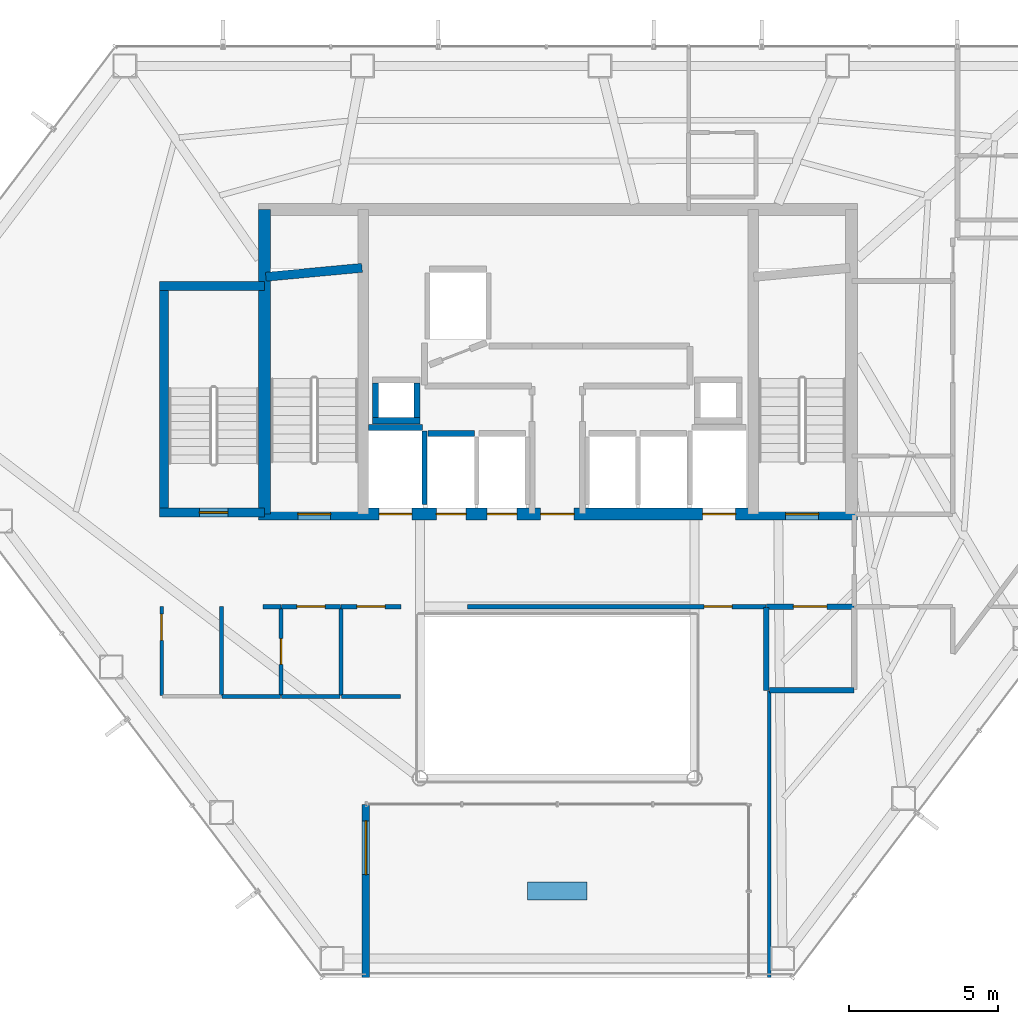
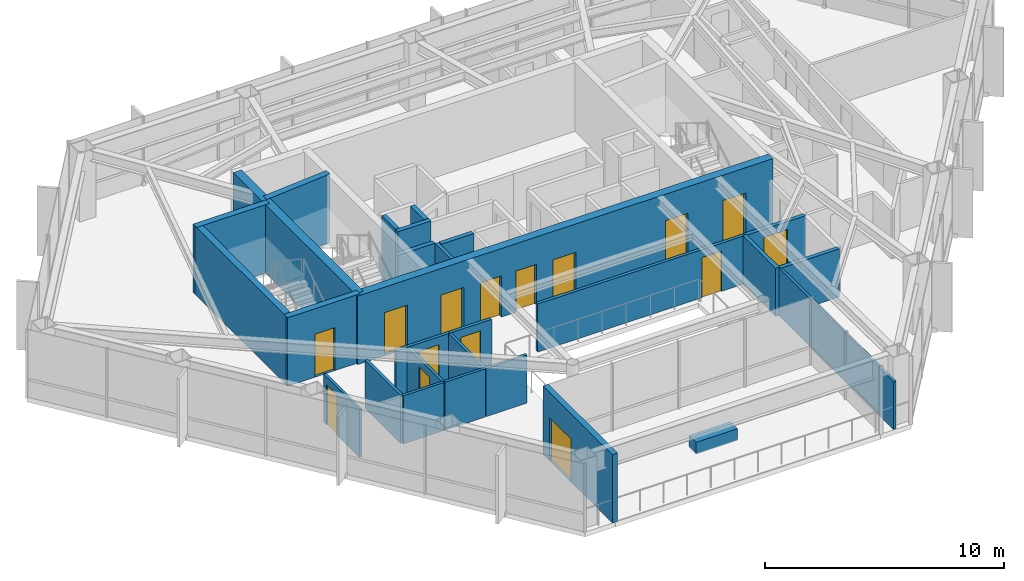
# One storey, part 25 of 28: 29 walls, 15 doors, 15 openings.
"""IFC4 building model written with IfcOpenShell, lengths in metres."""

from ifc_helpers import new_model, si_unit, direction, frame, frame_2d, origin, place, context, subcontext, project, spatial, rectangle, extrude, material, layer, layer_set, type_object, element, fill, save


model = new_model("IFC4")

# Units and contexts
model_context = context("Model", 3, precision=1e-05, world=origin(), true_north=direction((0.0, 1.0)))
body_context = subcontext(model_context, "Body", "Model", "MODEL_VIEW")
ifc_project = project(units=[si_unit("LENGTHUNIT", "METRE"), si_unit("AREAUNIT", "SQUARE_METRE"), si_unit("VOLUMEUNIT", "CUBIC_METRE"), si_unit("PLANEANGLEUNIT", "RADIAN"), si_unit("MASSUNIT", "GRAM", prefix="KILO")], contexts=[model_context])

# Site, building, storey
site_placement = place(None, origin())
site = spatial("IfcSite", under=ifc_project, at=site_placement, CompositionType="ELEMENT")
building_placement = place(site_placement, origin())
building = spatial("IfcBuilding", under=site, at=building_placement, Name="Zarrinselat Tower", CompositionType="ELEMENT")
storey_placement = place(building_placement, frame((0.0, 0.0, 157.080078125)))
storey = spatial("IfcBuildingStorey", under=building, at=storey_placement, Name="L38", CompositionType="ELEMENT", Elevation=157.080078125)

# Wall, opening, door
ifc_material_1 = material(Name="Honed Cream Travertine Stone", Category="masonry")
ifc_layer_1 = layer(ifc_material_1, 0.260009765625)
ifc_layer_set_1 = layer_set([ifc_layer_1], Name="Honed Cream Travertine Stone")
wall_type_1 = type_object("IfcWallType", Name="WAL-EXT-STONE-260", PredefinedType="STANDARD", material=ifc_layer_set_1)
wall_1_placement = place(storey_placement, frame((31.985107421875, 23.5234375, 0.0), z_axis=(0.0, 0.0, 1.0), x_axis=(0.0, -1.0, 0.0)))
wall_1 = element("IfcWall", 1, at=wall_1_placement, inside=storey, type_object=wall_type_1, Name="L38 Garden Terrace Portal Wall", PredefinedType="STANDARD", context=body_context, shape_type="SweptSolid", body=[
    extrude(rectangle(XDim=5.800048828125, YDim=0.260009765625, at=frame_2d((2.89990234375, 0.0))), origin(), (0.0, 0.0, 1.0), 3.489990234375),
])
opening_1_placement = place(wall_1_placement, frame((0.550048828125, 0.0, 0.0)))
opening_1 = element("IfcOpeningElement", 2, at=opening_1_placement, cuts=wall_1, Name="Opening ED-04", PredefinedType="OPENING", context=body_context, shape_type="SweptSolid", body=[
    extrude(rectangle(XDim=1.800048828125, YDim=2.199951171875, at=frame_2d((0.89990234375, 1.10009765625))), frame((0.0, 0.139892578125, 0.0), z_axis=(0.0, -1.0, 0.0), x_axis=(1.0, 0.0, 0.0)), (0.0, 0.0, 1.0), 0.280029296875),
])
ifc_material_2 = material(Name="Double Low-E Laminated Solar Glass", Category="glass")
door_type_1 = type_object("IfcDoorType", Name="DR-EXT-TERR-1800", OperationType="NOTDEFINED", PredefinedType="DOOR", material=ifc_material_2)
door_1_placement = place(opening_1_placement, origin())
door_1 = element("IfcDoor", 3, at=door_1_placement, inside=storey, type_object=door_type_1, Name="L38 Outdoor Garden Terrace Double Door", OperationType="DOUBLE_DOOR_SINGLE_SWING", OverallHeight=2.199951171875, OverallWidth=1.800048828125, PredefinedType="DOOR", context=body_context, shape_type="SweptSolid", body=[
    extrude(rectangle(XDim=1.800048828125, YDim=2.199951171875, at=frame_2d((0.89990234375, 1.10009765625))), frame((0.0, 0.02490234375, 0.0), z_axis=(0.0, -1.0, 0.0), x_axis=(1.0, 0.0, 0.0)), (0.0, 0.0, 1.0), 0.050048828125),
])
fill(opening_1, door_1)

ifc_material_3 = material(Name="Concrete C40/50", Category="concrete")
ifc_layer_2 = layer(ifc_material_3, 0.18994140625)
ifc_layer_set_2 = layer_set([ifc_layer_2], Name="Concrete C40/50")
wall_type_2 = type_object("IfcWallType", Name="WAL-PART-EI120", PredefinedType="PARTITIONING", material=ifc_layer_set_2)
wall_2_placement = place(storey_placement, frame((45.405029296875, 30.14990234375, 0.0), z_axis=(0.0, 0.0, 1.0), x_axis=(1.0, 0.0, 0.0)))
wall_2 = element("IfcWall", 4, at=wall_2_placement, inside=storey, type_object=wall_type_2, Name="L38 Partition Wall 10", PredefinedType="PARTITIONING", context=body_context, shape_type="SweptSolid", body=[
    extrude(rectangle(XDim=2.925048828125, YDim=0.18994140625, at=frame_2d((1.46240234375, 0.0))), origin(), (0.0, 0.0, 1.0), 2.45703125),
])
opening_2_placement = place(wall_2_placement, frame((0.902587890625, 0.0, 0.0)))
opening_2 = element("IfcOpeningElement", 5, at=opening_2_placement, cuts=wall_2, Name="Opening ID-02", PredefinedType="OPENING", context=body_context, shape_type="SweptSolid", body=[
    extrude(rectangle(XDim=1.1201171875, YDim=2.050048828125, at=frame_2d((0.56005859375, 1.02490234375))), frame((0.0, 0.10498046875, 0.0), z_axis=(0.0, -1.0, 0.0), x_axis=(1.0, 0.0, 0.0)), (0.0, 0.0, 1.0), 0.2099609375),
])
ifc_material_4 = material(Name="Steel S355J2", Category="steel")
door_type_2 = type_object("IfcDoorType", Name="DR-INT-FD60-W", OperationType="NOTDEFINED", PredefinedType="DOOR", material=ifc_material_4)
door_2_placement = place(opening_2_placement, origin())
door_2 = element("IfcDoor", 6, at=door_2_placement, inside=storey, type_object=door_type_2, Name="L38 Interior Door P10", OperationType="SINGLE_SWING_LEFT", OverallHeight=2.050048828125, OverallWidth=1.1201171875, PredefinedType="DOOR", context=body_context, shape_type="SweptSolid", body=[
    extrude(rectangle(XDim=1.1201171875, YDim=2.050048828125, at=frame_2d((0.56005859375, 1.02490234375))), frame((0.0, 0.02490234375, 0.0), z_axis=(0.0, -1.0, 0.0), x_axis=(1.0, 0.0, 0.0)), (0.0, 0.0, 1.0), 0.050048828125),
])
fill(opening_2, door_2)

# Walls
wall_3_placement = place(storey_placement, frame((45.5087890625, 27.35009765625, 0.0), z_axis=(0.0, 0.0, 1.0), x_axis=(1.0, 0.0, 0.0)))
element("IfcWall", 7, at=wall_3_placement, inside=storey, type_object=wall_type_2, Name="L38 Partition Wall 16", PredefinedType="PARTITIONING", context=body_context, shape_type="SweptSolid", body=[
    extrude(rectangle(XDim=2.8212890625, YDim=0.18994140625, at=frame_2d((1.41064453125, 0.0))), origin(), (0.0, 0.0, 1.0), 2.45703125),
])
wall_4_placement = place(storey_placement, frame((45.39990234375, 27.35009765625, 0.0), z_axis=(0.0, 0.0, 1.0), x_axis=(0.0, 1.0, 0.0)))
element("IfcWall", 8, at=wall_4_placement, inside=storey, type_object=wall_type_2, Name="L38 Partition Wall 18", PredefinedType="PARTITIONING", context=body_context, shape_type="SweptSolid", body=[
    extrude(rectangle(XDim=2.77978515625, YDim=0.18994140625, at=frame_2d((1.389892578125, 0.0))), origin(), (0.0, 0.0, 1.0), 2.45703125),
])
ifc_material_5 = material(Name="Fire-Rated Gypsum Board Partition", Category="gypsum")
ifc_layer_3 = layer(ifc_material_5, 0.14990234375)
ifc_layer_set_3 = layer_set([ifc_layer_3], Name="Fire-Rated Gypsum Board Partition")
wall_type_3 = type_object("IfcWallType", Name="WAL-PART-EI60", PredefinedType="PARTITIONING", material=ifc_layer_set_3)
wall_5_placement = place(storey_placement, frame((28.550048828125, 30.14990234375, 0.0), z_axis=(0.0, 0.0, 1.0), x_axis=(1.0, 0.0, 0.0)))
element("IfcWall", 9, at=wall_5_placement, inside=storey, type_object=wall_type_3, Name="L38 Partition Wall 12", PredefinedType="PARTITIONING", context=body_context, shape_type="SweptSolid", body=[
    extrude(rectangle(XDim=0.594970703125, YDim=0.14990234375, at=frame_2d((0.29736328125, 0.0))), origin(), (0.0, 0.0, 1.0), 2.45703125),
])

# Wall, opening, door
wall_6_placement = place(storey_placement, frame((29.155029296875, 30.14990234375, 0.0), z_axis=(0.0, 0.0, 1.0), x_axis=(1.0, 0.0, 0.0)))
wall_6 = element("IfcWall", 10, at=wall_6_placement, inside=storey, type_object=wall_type_3, Name="L38 Partition Wall 13", PredefinedType="PARTITIONING", context=body_context, shape_type="SweptSolid", body=[
    extrude(rectangle(XDim=1.989990234375, YDim=0.14990234375, at=frame_2d((0.9951171875, 0.0))), origin(), (0.0, 0.0, 1.0), 2.45703125),
])
opening_3_placement = place(wall_6_placement, frame((0.52490234375, 0.0, 0.0)))
opening_3 = element("IfcOpeningElement", 11, at=opening_3_placement, cuts=wall_6, Name="Opening ID-04", PredefinedType="OPENING", context=body_context, shape_type="SweptSolid", body=[
    extrude(rectangle(XDim=0.93994140625, YDim=2.050048828125, at=frame_2d((0.469970703125, 1.02490234375))), frame((0.0, 0.0849609375, 0.0), z_axis=(0.0, -1.0, 0.0), x_axis=(1.0, 0.0, 0.0)), (0.0, 0.0, 1.0), 0.169921875),
])
ifc_material_6 = material(Name="Fire-Rated Gypsum Board Partition")
door_type_3 = type_object("IfcDoorType", Name="DR-INT-FD30-ENT", OperationType="NOTDEFINED", PredefinedType="DOOR", material=ifc_material_6)
door_3_placement = place(opening_3_placement, origin())
door_3 = element("IfcDoor", 12, at=door_3_placement, inside=storey, type_object=door_type_3, Name="L38 Interior Door P13", OperationType="SINGLE_SWING_LEFT", OverallHeight=2.050048828125, OverallWidth=0.93994140625, PredefinedType="DOOR", context=body_context, shape_type="SweptSolid", body=[
    extrude(rectangle(XDim=0.93994140625, YDim=2.050048828125, at=frame_2d((0.469970703125, 1.02490234375))), frame((0.0, 0.02490234375, 0.0), z_axis=(0.0, -1.0, 0.0), x_axis=(1.0, 0.0, 0.0)), (0.0, 0.0, 1.0), 0.050048828125),
])
fill(opening_3, door_3)

wall_7_placement = place(storey_placement, frame((31.155029296875, 30.14990234375, 0.0), z_axis=(0.0, 0.0, 1.0), x_axis=(1.0, 0.0, 0.0)))
wall_7 = element("IfcWall", 13, at=wall_7_placement, inside=storey, type_object=wall_type_3, Name="L38 Partition Wall 14", PredefinedType="PARTITIONING", context=body_context, shape_type="SweptSolid", body=[
    extrude(rectangle(XDim=2.010009765625, YDim=0.14990234375, at=frame_2d((1.0048828125, 0.0))), origin(), (0.0, 0.0, 1.0), 2.45703125),
])
opening_4_placement = place(wall_7_placement, frame((0.534912109375, 0.0, 0.0)))
opening_4 = element("IfcOpeningElement", 14, at=opening_4_placement, cuts=wall_7, Name="Opening ID-04", PredefinedType="OPENING", context=body_context, shape_type="SweptSolid", body=[
    extrude(rectangle(XDim=0.93994140625, YDim=2.050048828125, at=frame_2d((0.469970703125, 1.02490234375))), frame((0.0, 0.0849609375, 0.0), z_axis=(0.0, -1.0, 0.0), x_axis=(1.0, 0.0, 0.0)), (0.0, 0.0, 1.0), 0.169921875),
])
door_4_placement = place(opening_4_placement, origin())
door_4 = element("IfcDoor", 15, at=door_4_placement, inside=storey, type_object=door_type_3, Name="L38 Interior Door P14", OperationType="SINGLE_SWING_RIGHT", OverallHeight=2.050048828125, OverallWidth=0.93994140625, PredefinedType="DOOR", context=body_context, shape_type="SweptSolid", body=[
    extrude(rectangle(XDim=0.93994140625, YDim=2.050048828125, at=frame_2d((0.469970703125, 1.02490234375))), frame((0.0, 0.02490234375, 0.0), z_axis=(0.0, -1.0, 0.0), x_axis=(1.0, 0.0, 0.0)), (0.0, 0.0, 1.0), 0.050048828125),
])
fill(opening_4, door_4)

wall_8_placement = place(storey_placement, frame((35.385009765625, 30.14990234375, 0.0), z_axis=(0.0, 0.0, 1.0), x_axis=(1.0, 0.0, 0.0)))
wall_8 = element("IfcWall", 16, at=wall_8_placement, inside=storey, type_object=wall_type_3, Name="L38 Partition Wall 15", PredefinedType="PARTITIONING", context=body_context, shape_type="SweptSolid", body=[
    extrude(rectangle(XDim=10.010009765625, YDim=0.14990234375, at=frame_2d((5.0048828125, 0.0))), origin(), (0.0, 0.0, 1.0), 2.45703125),
])
opening_5_placement = place(wall_8_placement, frame((7.93505859375, 0.0, 0.0)))
opening_5 = element("IfcOpeningElement", 17, at=opening_5_placement, cuts=wall_8, Name="Opening ID-04", PredefinedType="OPENING", context=body_context, shape_type="SweptSolid", body=[
    extrude(rectangle(XDim=0.93994140625, YDim=2.050048828125, at=frame_2d((0.469970703125, 1.02490234375))), frame((0.0, 0.0849609375, 0.0), z_axis=(0.0, -1.0, 0.0), x_axis=(1.0, 0.0, 0.0)), (0.0, 0.0, 1.0), 0.169921875),
])
door_5_placement = place(opening_5_placement, origin())
door_5 = element("IfcDoor", 18, at=door_5_placement, inside=storey, type_object=door_type_3, Name="L38 Interior Door P15", OperationType="SINGLE_SWING_LEFT", OverallHeight=2.050048828125, OverallWidth=0.93994140625, PredefinedType="DOOR", context=body_context, shape_type="SweptSolid", body=[
    extrude(rectangle(XDim=0.93994140625, YDim=2.050048828125, at=frame_2d((0.469970703125, 1.02490234375))), frame((0.0, 0.02490234375, 0.0), z_axis=(0.0, -1.0, 0.0), x_axis=(1.0, 0.0, 0.0)), (0.0, 0.0, 1.0), 0.050048828125),
])
fill(opening_5, door_5)

ifc_material_7 = material(Name="Fire-Rated Gypsum Board Partition", Category="gypsum")
ifc_layer_4 = layer(ifc_material_7, 0.1201171875)
ifc_layer_set_4 = layer_set([ifc_layer_4], Name="Fire-Rated Gypsum Board Partition")
wall_type_4 = type_object("IfcWallType", Name="WAL-PART-STD", PredefinedType="PARTITIONING", material=ifc_layer_set_4)
wall_9_placement = place(storey_placement, frame((25.14990234375, 27.169921875, 0.0), z_axis=(0.0, 0.0, 1.0), x_axis=(0.0, 1.0, 0.0)))
wall_9 = element("IfcWall", 19, at=wall_9_placement, inside=storey, type_object=wall_type_4, Name="L38 Partition Wall 33", PredefinedType="PARTITIONING", context=body_context, shape_type="SweptSolid", body=[
    extrude(rectangle(XDim=2.97998046875, YDim=0.1201171875, at=frame_2d((1.489990234375, 0.0))), origin(), (0.0, 0.0, 1.0), 2.45703125),
])
opening_6_placement = place(wall_9_placement, frame((1.85009765625, 0.0, 0.0)))
opening_6 = element("IfcOpeningElement", 20, at=opening_6_placement, cuts=wall_9, Name="Opening ID-03", PredefinedType="OPENING", context=body_context, shape_type="SweptSolid", body=[
    extrude(rectangle(XDim=0.8798828125, YDim=2.050048828125, at=frame_2d((0.43994140625, 1.02490234375))), frame((0.0, 0.070068359375, 0.0), z_axis=(0.0, -1.0, 0.0), x_axis=(1.0, 0.0, 0.0)), (0.0, 0.0, 1.0), 0.14013671875),
])
ifc_material_8 = material(Name="Steel S355J2", Category="steel")
door_type_4 = type_object("IfcDoorType", Name="DR-INT-FD60-S", OperationType="NOTDEFINED", PredefinedType="DOOR", material=ifc_material_8)
door_6_placement = place(opening_6_placement, origin())
door_6 = element("IfcDoor", 21, at=door_6_placement, inside=storey, type_object=door_type_4, Name="L38 Interior Door P33", OperationType="SINGLE_SWING_LEFT", OverallHeight=2.050048828125, OverallWidth=0.8798828125, PredefinedType="DOOR", context=body_context, shape_type="SweptSolid", body=[
    extrude(rectangle(XDim=0.8798828125, YDim=2.050048828125, at=frame_2d((0.43994140625, 1.02490234375))), frame((0.0, 0.02490234375, 0.0), z_axis=(0.0, -1.0, 0.0), x_axis=(1.0, 0.0, 0.0)), (0.0, 0.0, 1.0), 0.050048828125),
])
fill(opening_6, door_6)

# Walls
wall_10_placement = place(storey_placement, frame((45.50390625, 17.73828125, 0.0), z_axis=(0.0, 0.0, 1.0), x_axis=(0.0, 1.0, 0.0)))
element("IfcWall", 22, at=wall_10_placement, inside=storey, type_object=wall_type_4, Name="L38 Partition Wall 39", PredefinedType="PARTITIONING", context=body_context, shape_type="SweptSolid", body=[
    extrude(rectangle(XDim=9.591796875, YDim=0.1201171875, at=frame_2d((4.7958984375, 0.0))), origin(), (0.0, 0.0, 1.0), 2.45703125),
])
ifc_material_9 = material(Name="Fire-Rated Gypsum Board Partition", Category="gypsum")
ifc_layer_5 = layer(ifc_material_9, 0.135009765625)
ifc_layer_set_5 = layer_set([ifc_layer_5], Name="Fire-Rated Gypsum Board Partition")
wall_type_5 = type_object("IfcWallType", Name="WAL-PART-WET", PredefinedType="PARTITIONING", material=ifc_layer_set_5)
wall_11_placement = place(storey_placement, frame((27.14990234375, 27.169921875, 0.0), z_axis=(0.0, 0.0, 1.0), x_axis=(0.0, 1.0, 0.0)))
element("IfcWall", 23, at=wall_11_placement, inside=storey, type_object=wall_type_5, Name="L38 Partition Wall 31", PredefinedType="PARTITIONING", context=body_context, shape_type="SweptSolid", body=[
    extrude(rectangle(XDim=2.97998046875, YDim=0.135009765625, at=frame_2d((1.489990234375, 0.0))), origin(), (0.0, 0.0, 1.0), 2.45703125),
])

# Wall, opening, door
wall_12_placement = place(storey_placement, frame((29.14990234375, 27.169921875, 0.0), z_axis=(0.0, 0.0, 1.0), x_axis=(0.0, 1.0, 0.0)))
wall_12 = element("IfcWall", 24, at=wall_12_placement, inside=storey, type_object=wall_type_5, Name="L38 Partition Wall 34", PredefinedType="PARTITIONING", context=body_context, shape_type="SweptSolid", body=[
    extrude(rectangle(XDim=2.9599609375, YDim=0.135009765625, at=frame_2d((1.47998046875, 0.0))), origin(), (0.0, 0.0, 1.0), 2.45703125),
])
opening_7_placement = place(wall_12_placement, frame((1.050048828125, 0.0, 0.0)))
opening_7 = element("IfcOpeningElement", 25, at=opening_7_placement, cuts=wall_12, Name="Opening ID-06", PredefinedType="OPENING", context=body_context, shape_type="SweptSolid", body=[
    extrude(rectangle(XDim=0.860107421875, YDim=2.050048828125, at=frame_2d((0.43017578125, 1.02490234375))), frame((0.0, 0.077392578125, 0.0), z_axis=(0.0, -1.0, 0.0), x_axis=(1.0, 0.0, 0.0)), (0.0, 0.0, 1.0), 0.155029296875),
])
ifc_material_10 = material(Name="Extruded Aluminium Alloy EN AW-6063 T6", Category="aluminium")
door_type_5 = type_object("IfcDoorType", Name="DR-INT-WET-900", OperationType="NOTDEFINED", PredefinedType="DOOR", material=ifc_material_10)
door_7_placement = place(opening_7_placement, origin())
door_7 = element("IfcDoor", 26, at=door_7_placement, inside=storey, type_object=door_type_5, Name="L38 Interior Door P34", OperationType="SINGLE_SWING_RIGHT", OverallHeight=2.050048828125, OverallWidth=0.860107421875, PredefinedType="DOOR", context=body_context, shape_type="SweptSolid", body=[
    extrude(rectangle(XDim=0.860107421875, YDim=2.050048828125, at=frame_2d((0.43017578125, 1.02490234375))), frame((0.0, 0.02490234375, 0.0), z_axis=(0.0, -1.0, 0.0), x_axis=(1.0, 0.0, 0.0)), (0.0, 0.0, 1.0), 0.050048828125),
])
fill(opening_7, door_7)

# Walls
wall_13_placement = place(storey_placement, frame((27.169921875, 27.14990234375, 0.0), z_axis=(0.0, 0.0, 1.0), x_axis=(1.0, 0.0, 0.0)))
element("IfcWall", 27, at=wall_13_placement, inside=storey, type_object=wall_type_5, Name="L38 Partition Wall 35", PredefinedType="PARTITIONING", context=body_context, shape_type="SweptSolid", body=[
    extrude(rectangle(XDim=1.9599609375, YDim=0.135009765625, at=frame_2d((0.97998046875, 0.0))), origin(), (0.0, 0.0, 1.0), 2.45703125),
])
wall_14_placement = place(storey_placement, frame((31.14990234375, 27.169921875, 0.0), z_axis=(0.0, 0.0, 1.0), x_axis=(0.0, 1.0, 0.0)))
element("IfcWall", 28, at=wall_14_placement, inside=storey, type_object=wall_type_5, Name="L38 Partition Wall 36", PredefinedType="PARTITIONING", context=body_context, shape_type="SweptSolid", body=[
    extrude(rectangle(XDim=2.9599609375, YDim=0.135009765625, at=frame_2d((1.47998046875, 0.0))), origin(), (0.0, 0.0, 1.0), 2.45703125),
])
wall_15_placement = place(storey_placement, frame((29.169921875, 27.14990234375, 0.0), z_axis=(0.0, 0.0, 1.0), x_axis=(1.0, 0.0, 0.0)))
element("IfcWall", 29, at=wall_15_placement, inside=storey, type_object=wall_type_5, Name="L38 Partition Wall 37", PredefinedType="PARTITIONING", context=body_context, shape_type="SweptSolid", body=[
    extrude(rectangle(XDim=1.9599609375, YDim=0.135009765625, at=frame_2d((0.97998046875, 0.0))), origin(), (0.0, 0.0, 1.0), 2.45703125),
])
wall_16_placement = place(storey_placement, frame((31.169921875, 27.14990234375, 0.0), z_axis=(0.0, 0.0, 1.0), x_axis=(1.0, 0.0, 0.0)))
element("IfcWall", 30, at=wall_16_placement, inside=storey, type_object=wall_type_5, Name="L38 Partition Wall 38", PredefinedType="PARTITIONING", context=body_context, shape_type="SweptSolid", body=[
    extrude(rectangle(XDim=1.97998046875, YDim=0.135009765625, at=frame_2d((0.989990234375, 0.0))), origin(), (0.0, 0.0, 1.0), 2.45703125),
])
ifc_material_11 = material(Name="Honed Cream Travertine Stone", Category="masonry")
ifc_layer_6 = layer(ifc_material_11, 0.199951171875)
ifc_layer_set_6 = layer_set([ifc_layer_6], Name="Honed Cream Travertine Stone")
wall_type_6 = type_object("IfcWallType", Name="WAL-PLANTER-200", PredefinedType="PARAPET", material=ifc_layer_set_6)
wall_17_placement = place(storey_placement, frame((37.39990234375, 20.623291015625, 0.0), z_axis=(0.0, 0.0, 1.0), x_axis=(1.0, 0.0, 0.0)))
element("IfcWall", 31, at=wall_17_placement, inside=storey, type_object=wall_type_6, Name="L38 Badgir Sky Garden Stone PLANTER Bed", PredefinedType="PARAPET", context=body_context, shape_type="SweptSolid", body=[
    extrude(rectangle(XDim=2.0, YDim=0.60009765625, at=frame_2d((1.0, 0.0))), origin(), (0.0, 0.0, 1.0), 0.599853515625),
])
ifc_material_12 = material(Name="Concrete C40/50", Category="concrete")
ifc_layer_7 = layer(ifc_material_12, 0.2099609375)
ifc_layer_set_7 = layer_set([ifc_layer_7], Name="Concrete C40/50")
wall_type_7 = type_object("IfcWallType", Name="WAL-SHAFT-210", PredefinedType="SOLIDWALL", material=ifc_layer_set_7)
wall_18_placement = place(storey_placement, frame((32.080078125, 36.155029296875, 0.0), z_axis=(0.0, 0.0, 1.0), x_axis=(1.0, 0.0, 0.0)))
element("IfcWall", 32, at=wall_18_placement, inside=storey, type_object=wall_type_7, Name="L38 Lift FFL1 North Shaft Wall", PredefinedType="SOLIDWALL", context=body_context, shape_type="SweptSolid", body=[
    extrude(rectangle(XDim=1.7998046875, YDim=0.2099609375, at=frame_2d((0.89990234375, 0.0))), origin(), (0.0, 0.0, 1.0), 2.471923828125),
])
wall_19_placement = place(storey_placement, frame((33.949951171875, 33.580078125, 0.0), z_axis=(0.0, 0.0, 1.0), x_axis=(0.0, 1.0, 0.0)))
element("IfcWall", 33, at=wall_19_placement, inside=storey, type_object=wall_type_7, Name="L38 Lift FFL1 E Shaft Wall", PredefinedType="SOLIDWALL", context=body_context, shape_type="SweptSolid", body=[
    extrude(rectangle(XDim=2.449951171875, YDim=0.159912109375, at=frame_2d((1.22509765625, 0.0))), origin(), (0.0, 0.0, 1.0), 2.471923828125),
])
wall_20_placement = place(storey_placement, frame((34.070068359375, 35.955078125, 0.0), z_axis=(0.0, 0.0, 1.0), x_axis=(1.0, 0.0, 0.0)))
element("IfcWall", 34, at=wall_20_placement, inside=storey, type_object=wall_type_7, Name="L38 Lift PL5 North Shaft Wall", PredefinedType="SOLIDWALL", context=body_context, shape_type="SweptSolid", body=[
    extrude(rectangle(XDim=1.559814453125, YDim=0.2099609375, at=frame_2d((0.77978515625, 0.0))), origin(), (0.0, 0.0, 1.0), 2.471923828125),
])
wall_21_placement = place(storey_placement, frame((32.2099609375, 36.375, 0.0), z_axis=(0.0, 0.0, 1.0), x_axis=(1.0, 0.0, 0.0)))
element("IfcWall", 35, at=wall_21_placement, inside=storey, type_object=wall_type_7, Name="L38 Core Riser RSR-W S Shaft Wall", PredefinedType="SOLIDWALL", context=body_context, shape_type="SweptSolid", body=[
    extrude(rectangle(XDim=1.60009765625, YDim=0.2099609375, at=frame_2d((0.800048828125, 0.0))), origin(), (0.0, 0.0, 1.0), 3.5),
])
for number, where, z_axis, x_axis, name in (
    (36, (32.31494140625, 36.485107421875, 0.0), (0.0, 0.0, 1.0), (0.0, 1.0, 0.0), "L38 Core Riser RSR-W W Shaft Wall"),
    (37, (33.705078125, 36.485107421875, 0.0), (0.0, 0.0, 1.0), (0.0, 1.0, 0.0), "L38 Core Riser RSR-W E Shaft Wall"),
):
    element("IfcWall", number, at=place(storey_placement, frame(where, z_axis=z_axis, x_axis=x_axis)), inside=storey, type_object=wall_type_7, Name=name, PredefinedType="SOLIDWALL", context=body_context, shape_type="SweptSolid", body=[
        extrude(rectangle(XDim=1.14990234375, YDim=0.2099609375, at=frame_2d((0.574951171875, 0.0))), origin(), (0.0, 0.0, 1.0), 3.5),
    ])
ifc_material_13 = material(Name="Concrete C40/50", Category="concrete")
ifc_layer_8 = layer(ifc_material_13, 0.300048828125)
ifc_layer_set_8 = layer_set([ifc_layer_8], Name="Concrete C40/50")
wall_type_8 = type_object("IfcWallType", Name="WAL-SHEAR-300", PredefinedType="SHEAR", material=ifc_layer_set_8)
wall_22_placement = place(storey_placement, frame((28.639892578125, 41.199951171875, 0.0), z_axis=(0.0, 0.0, 1.0), x_axis=(0.995687118776, 0.092774789157, 0.0)))
element("IfcWall", 38, at=wall_22_placement, inside=storey, type_object=wall_type_8, Name="L38 Stair 1 North Shaft Wall", PredefinedType="SHEAR", context=body_context, shape_type="SweptSolid", body=[
    extrude(rectangle(XDim=3.234130859375, YDim=0.300048828125, at=frame_2d((1.6171875, 0.0))), origin(), (0.0, 0.0, 1.0), 3.5),
])
wall_23_placement = place(storey_placement, frame((25.080078125, 40.89990234375, 0.0), z_axis=(0.0, 0.0, 1.0), x_axis=(1.0, 0.0, 0.0)))
element("IfcWall", 39, at=wall_23_placement, inside=storey, type_object=wall_type_8, Name="L38 Stair 3 North Shear Wall", PredefinedType="SHEAR", context=body_context, shape_type="SweptSolid", body=[
    extrude(rectangle(XDim=3.52001953125, YDim=0.300048828125, at=frame_2d((1.760009765625, 0.0))), origin(), (0.0, 0.0, 1.0), 3.5),
])

# Wall, opening, door
wall_24_placement = place(storey_placement, frame((25.080078125, 33.300048828125, 0.0), z_axis=(0.0, 0.0, 1.0), x_axis=(1.0, 0.0, 0.0)))
wall_24 = element("IfcWall", 40, at=wall_24_placement, inside=storey, type_object=wall_type_8, Name="L38 Stair 3 South Shear Wall", PredefinedType="SHEAR", context=body_context, shape_type="SweptSolid", body=[
    extrude(rectangle(XDim=3.52001953125, YDim=0.300048828125, at=frame_2d((1.760009765625, 0.0))), origin(), (0.0, 0.0, 1.0), 3.5),
])
opening_8_placement = place(wall_24_placement, frame((1.3349609375, 0.0, 0.0)))
opening_8 = element("IfcOpeningElement", 41, at=opening_8_placement, cuts=wall_24, Name="Opening SD-02", PredefinedType="OPENING", context=body_context, shape_type="SweptSolid", body=[
    extrude(rectangle(XDim=0.949951171875, YDim=2.199951171875, at=frame_2d((0.47509765625, 1.10009765625))), frame((0.0, 0.159912109375, 0.0), z_axis=(0.0, -1.0, 0.0), x_axis=(1.0, 0.0, 0.0)), (0.0, 0.0, 1.0), 0.320068359375),
])
ifc_material_14 = material(Name="Steel S355J2", Category="steel")
door_type_6 = type_object("IfcDoorType", Name="DR-STAIR-1050", OperationType="NOTDEFINED", PredefinedType="DOOR", material=ifc_material_14)
door_8_placement = place(opening_8_placement, origin())
door_8 = element("IfcDoor", 42, at=door_8_placement, inside=storey, type_object=door_type_6, Name="L38 Exit Stair 3 Fire Door", OperationType="SINGLE_SWING_LEFT", OverallHeight=2.199951171875, OverallWidth=0.949951171875, PredefinedType="DOOR", context=body_context, shape_type="SweptSolid", body=[
    extrude(rectangle(XDim=0.949951171875, YDim=2.199951171875, at=frame_2d((0.47509765625, 1.10009765625))), frame((0.0, 0.02490234375, 0.0), z_axis=(0.0, -1.0, 0.0), x_axis=(1.0, 0.0, 0.0)), (0.0, 0.0, 1.0), 0.050048828125),
])
fill(opening_8, door_8)

# Wall
wall_25_placement = place(storey_placement, frame((25.22998046875, 33.300048828125, 0.0), z_axis=(0.0, 0.0, 1.0), x_axis=(0.0, 1.0, 0.0)))
element("IfcWall", 43, at=wall_25_placement, inside=storey, type_object=wall_type_8, Name="L38 Stair 3 West Shear Wall", PredefinedType="SHEAR", context=body_context, shape_type="SweptSolid", body=[
    extrude(rectangle(XDim=7.599853515625, YDim=0.300048828125, at=frame_2d((3.7998046875, 0.0))), origin(), (0.0, 0.0, 1.0), 3.5),
])

# Wall, openings, doors
ifc_material_15 = material(Name="Concrete C60/75", Category="concrete")
ifc_layer_9 = layer(ifc_material_15, 0.39990234375)
ifc_layer_set_9 = layer_set([ifc_layer_9], Name="Concrete C60/75")
wall_type_9 = type_object("IfcWallType", Name="WAL-SHEAR-400", PredefinedType="SHEAR", material=ifc_layer_set_9)
wall_26_placement = place(storey_placement, frame((28.39990234375, 33.25, 0.0), z_axis=(0.0, 0.0, 1.0), x_axis=(1.0, 0.0, 0.0)))
wall_26 = element("IfcWall", 44, at=wall_26_placement, inside=storey, type_object=wall_type_9, Name="L38 South Core Shear Wall", PredefinedType="SHEAR", context=body_context, shape_type="SweptSolid", body=[
    extrude(rectangle(XDim=20.06005859375, YDim=0.39990234375, at=frame_2d((10.030029296875, 0.0))), origin(), (0.0, 0.0, 1.0), 3.5),
])
opening_9_placement = place(wall_26_placement, frame((4.030029296875, 0.0, 0.0)))
opening_9 = element("IfcOpeningElement", 45, at=opening_9_placement, cuts=wall_26, Name="Opening LD-FFL1", PredefinedType="OPENING", context=body_context, shape_type="SweptSolid", body=[
    extrude(rectangle(XDim=1.10009765625, YDim=2.14990234375, at=frame_2d((0.550048828125, 1.074951171875))), frame((0.0, 0.2099609375, 0.0), z_axis=(0.0, -1.0, 0.0), x_axis=(1.0, 0.0, 0.0)), (0.0, 0.0, 1.0), 0.419921875),
])
opening_10_placement = place(wall_26_placement, frame((14.8701171875, 0.0, 0.0)))
opening_10 = element("IfcOpeningElement", 46, at=opening_10_placement, cuts=wall_26, Name="Opening LD-FFL2", PredefinedType="OPENING", context=body_context, shape_type="SweptSolid", body=[
    extrude(rectangle(XDim=1.10009765625, YDim=2.14990234375, at=frame_2d((0.550048828125, 1.074951171875))), frame((0.0, 0.2099609375, 0.0), z_axis=(0.0, -1.0, 0.0), x_axis=(1.0, 0.0, 0.0)), (0.0, 0.0, 1.0), 0.419921875),
])
opening_11_placement = place(wall_26_placement, frame((5.949951171875, 0.0, 0.0)))
opening_11 = element("IfcOpeningElement", 47, at=opening_11_placement, cuts=wall_26, Name="Opening LD-PL5", PredefinedType="OPENING", context=body_context, shape_type="SweptSolid", body=[
    extrude(rectangle(XDim=1.0, YDim=2.10009765625, at=frame_2d((0.5, 1.050048828125))), frame((0.0, 0.2099609375, 0.0), z_axis=(0.0, -1.0, 0.0), x_axis=(1.0, 0.0, 0.0)), (0.0, 0.0, 1.0), 0.419921875),
])
opening_12_placement = place(wall_26_placement, frame((7.64990234375, 0.0, 0.0)))
opening_12 = element("IfcOpeningElement", 48, at=opening_12_placement, cuts=wall_26, Name="Opening LD-PL6", PredefinedType="OPENING", context=body_context, shape_type="SweptSolid", body=[
    extrude(rectangle(XDim=1.0, YDim=2.10009765625, at=frame_2d((0.5, 1.050048828125))), frame((0.0, 0.2099609375, 0.0), z_axis=(0.0, -1.0, 0.0), x_axis=(1.0, 0.0, 0.0)), (0.0, 0.0, 1.0), 0.419921875),
])
opening_13_placement = place(wall_26_placement, frame((1.31005859375, 0.0, 0.0)))
opening_13 = element("IfcOpeningElement", 49, at=opening_13_placement, cuts=wall_26, Name="Opening SD-01", PredefinedType="OPENING", context=body_context, shape_type="SweptSolid", body=[
    extrude(rectangle(XDim=1.10009765625, YDim=2.199951171875, at=frame_2d((0.550048828125, 1.10009765625))), frame((0.0, 0.2099609375, 0.0), z_axis=(0.0, -1.0, 0.0), x_axis=(1.0, 0.0, 0.0)), (0.0, 0.0, 1.0), 0.419921875),
])
opening_14_placement = place(wall_26_placement, frame((9.43994140625, 0.0, 0.0)))
opening_14 = element("IfcOpeningElement", 50, at=opening_14_placement, cuts=wall_26, Name="Opening ID-02", PredefinedType="OPENING", context=body_context, shape_type="SweptSolid", body=[
    extrude(rectangle(XDim=1.1201171875, YDim=2.050048828125, at=frame_2d((0.56005859375, 1.02490234375))), frame((0.0, 0.2099609375, 0.0), z_axis=(0.0, -1.0, 0.0), x_axis=(1.0, 0.0, 0.0)), (0.0, 0.0, 1.0), 0.419921875),
])
opening_15_placement = place(wall_26_placement, frame((17.64990234375, 0.0, 0.0)))
opening_15 = element("IfcOpeningElement", 51, at=opening_15_placement, cuts=wall_26, Name="Opening SD-01", PredefinedType="OPENING", context=body_context, shape_type="SweptSolid", body=[
    extrude(rectangle(XDim=1.10009765625, YDim=2.199951171875, at=frame_2d((0.550048828125, 1.10009765625))), frame((0.0, 0.2099609375, 0.0), z_axis=(0.0, -1.0, 0.0), x_axis=(1.0, 0.0, 0.0)), (0.0, 0.0, 1.0), 0.419921875),
])
door_9_placement = place(opening_14_placement, origin())
door_9 = element("IfcDoor", 52, at=door_9_placement, inside=storey, type_object=door_type_2, Name="L38 Core Service Vestibule Fire Door", OperationType="SINGLE_SWING_RIGHT", OverallHeight=2.050048828125, OverallWidth=1.1201171875, PredefinedType="DOOR", context=body_context, shape_type="SweptSolid", body=[
    extrude(rectangle(XDim=1.1201171875, YDim=2.050048828125, at=frame_2d((0.56005859375, 1.02490234375))), frame((0.0, 0.02490234375, 0.0), z_axis=(0.0, -1.0, 0.0), x_axis=(1.0, 0.0, 0.0)), (0.0, 0.0, 1.0), 0.050048828125),
])
fill(opening_14, door_9)
ifc_material_16 = material(Name="Steel S355J2", Category="steel")
door_type_7 = type_object("IfcDoorType", Name="DR-LIFT-FF-1100", OperationType="NOTDEFINED", PredefinedType="DOOR", material=ifc_material_16)
door_10_placement = place(opening_9_placement, origin())
door_10 = element("IfcDoor", 53, at=door_10_placement, inside=storey, type_object=door_type_7, Name="L38 Lift FFL1 Sliding Landing Door", OperationType="SLIDING_TO_LEFT", OverallHeight=2.14990234375, OverallWidth=1.10009765625, PredefinedType="DOOR", context=body_context, shape_type="SweptSolid", body=[
    extrude(rectangle(XDim=1.10009765625, YDim=2.14990234375, at=frame_2d((0.550048828125, 1.074951171875))), frame((0.0, 0.02490234375, 0.0), z_axis=(0.0, -1.0, 0.0), x_axis=(1.0, 0.0, 0.0)), (0.0, 0.0, 1.0), 0.050048828125),
])
fill(opening_9, door_10)
door_11_placement = place(opening_10_placement, origin())
door_11 = element("IfcDoor", 54, at=door_11_placement, inside=storey, type_object=door_type_7, Name="L38 Lift FFL2 Sliding Landing Door", OperationType="SLIDING_TO_RIGHT", OverallHeight=2.14990234375, OverallWidth=1.10009765625, PredefinedType="DOOR", context=body_context, shape_type="SweptSolid", body=[
    extrude(rectangle(XDim=1.10009765625, YDim=2.14990234375, at=frame_2d((0.550048828125, 1.074951171875))), frame((0.0, 0.02490234375, 0.0), z_axis=(0.0, -1.0, 0.0), x_axis=(1.0, 0.0, 0.0)), (0.0, 0.0, 1.0), 0.050048828125),
])
fill(opening_10, door_11)
ifc_material_17 = material(Name="Steel S355J2", Category="steel")
door_type_8 = type_object("IfcDoorType", Name="DR-LIFT-PS-1000", OperationType="NOTDEFINED", PredefinedType="DOOR", material=ifc_material_17)
door_12_placement = place(opening_11_placement, origin())
door_12 = element("IfcDoor", 55, at=door_12_placement, inside=storey, type_object=door_type_8, Name="L38 Lift PL5 Sliding Landing Door", OperationType="SLIDING_TO_LEFT", OverallHeight=2.10009765625, OverallWidth=1.0, PredefinedType="DOOR", context=body_context, shape_type="SweptSolid", body=[
    extrude(rectangle(XDim=1.0, YDim=2.10009765625, at=frame_2d((0.5, 1.050048828125))), frame((0.0, 0.02490234375, 0.0), z_axis=(0.0, -1.0, 0.0), x_axis=(1.0, 0.0, 0.0)), (0.0, 0.0, 1.0), 0.050048828125),
])
fill(opening_11, door_12)
door_13_placement = place(opening_12_placement, origin())
door_13 = element("IfcDoor", 56, at=door_13_placement, inside=storey, type_object=door_type_8, Name="L38 Lift PL6 Sliding Landing Door", OperationType="SLIDING_TO_RIGHT", OverallHeight=2.10009765625, OverallWidth=1.0, PredefinedType="DOOR", context=body_context, shape_type="SweptSolid", body=[
    extrude(rectangle(XDim=1.0, YDim=2.10009765625, at=frame_2d((0.5, 1.050048828125))), frame((0.0, 0.02490234375, 0.0), z_axis=(0.0, -1.0, 0.0), x_axis=(1.0, 0.0, 0.0)), (0.0, 0.0, 1.0), 0.050048828125),
])
fill(opening_12, door_13)
ifc_material_18 = material(Name="Steel S355J2", Category="steel")
door_type_9 = type_object("IfcDoorType", Name="DR-STAIR-1100", OperationType="NOTDEFINED", PredefinedType="DOOR", material=ifc_material_18)
door_14_placement = place(opening_13_placement, origin())
door_14 = element("IfcDoor", 57, at=door_14_placement, inside=storey, type_object=door_type_9, Name="L38 Exit Stair 1 Fire Door", OperationType="SINGLE_SWING_LEFT", OverallHeight=2.199951171875, OverallWidth=1.10009765625, PredefinedType="DOOR", context=body_context, shape_type="SweptSolid", body=[
    extrude(rectangle(XDim=1.10009765625, YDim=2.199951171875, at=frame_2d((0.550048828125, 1.10009765625))), frame((0.0, 0.02490234375, 0.0), z_axis=(0.0, -1.0, 0.0), x_axis=(1.0, 0.0, 0.0)), (0.0, 0.0, 1.0), 0.050048828125),
])
fill(opening_13, door_14)
door_15_placement = place(opening_15_placement, origin())
door_15 = element("IfcDoor", 58, at=door_15_placement, inside=storey, type_object=door_type_9, Name="L38 Exit Stair 2 Fire Door", OperationType="SINGLE_SWING_RIGHT", OverallHeight=2.199951171875, OverallWidth=1.10009765625, PredefinedType="DOOR", context=body_context, shape_type="SweptSolid", body=[
    extrude(rectangle(XDim=1.10009765625, YDim=2.199951171875, at=frame_2d((0.550048828125, 1.10009765625))), frame((0.0, 0.02490234375, 0.0), z_axis=(0.0, -1.0, 0.0), x_axis=(1.0, 0.0, 0.0)), (0.0, 0.0, 1.0), 0.050048828125),
])
fill(opening_15, door_15)

# Wall
wall_27_placement = place(storey_placement, frame((28.60009765625, 33.25, 0.0), z_axis=(0.0, 0.0, 1.0), x_axis=(0.0, 1.0, 0.0)))
element("IfcWall", 59, at=wall_27_placement, inside=storey, type_object=wall_type_9, Name="L38 Core Shear Wall W", PredefinedType="SHEAR", context=body_context, shape_type="SweptSolid", body=[
    extrude(rectangle(XDim=10.199951171875, YDim=0.39990234375, at=frame_2d((5.10009765625, 0.0))), origin(), (0.0, 0.0, 1.0), 3.5),
])

save(model, "model.ifc")
